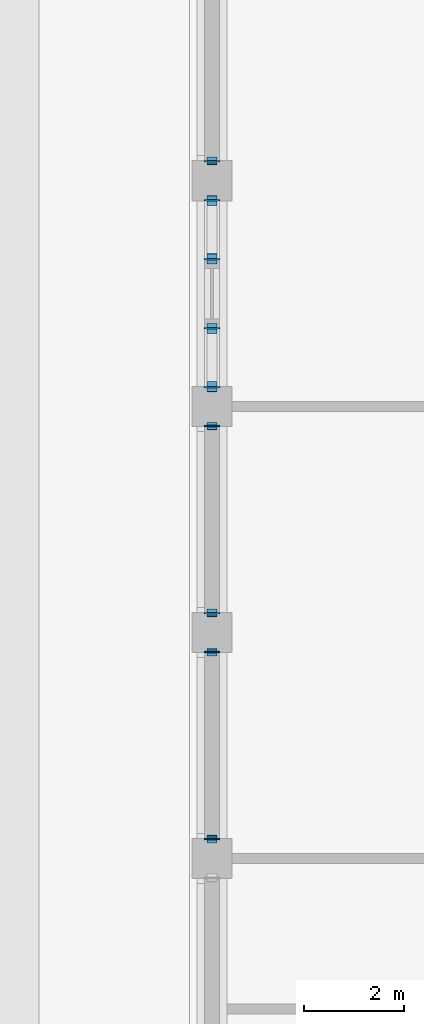
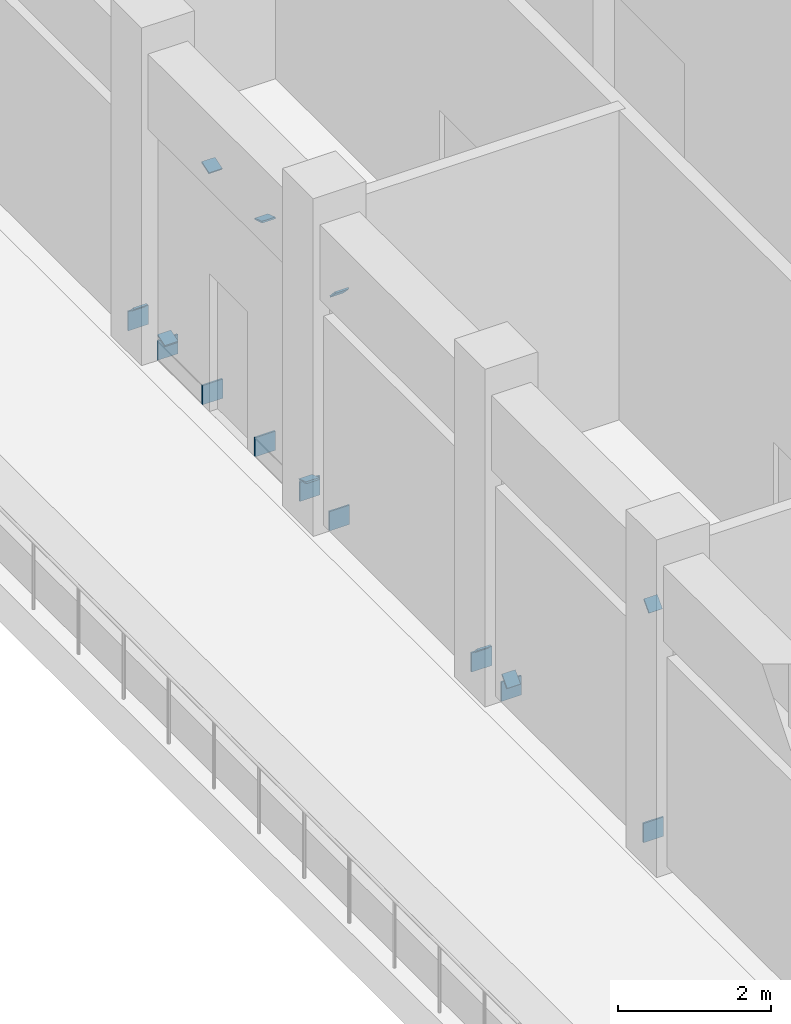
# One storey, part 10 of 19: 18 discrete accessories.
"""IFC4 building model written with IfcOpenShell, lengths in metres."""

from ifc_helpers import new_model, si_unit, direction, frame, origin, origin_2d, place, context, subcontext, project, spatial, rectangle, extrude, material, material_profile, profile_set, type_object, element, save


model = new_model("IFC4")

# Units and contexts
model_context = context("Model", 3, precision=1e-05, world=origin(), true_north=direction((0.0, 1.0)))
body_context = subcontext(model_context, "Body", "Model", "MODEL_VIEW")
ifc_project = project(units=[si_unit("LENGTHUNIT", "METRE"), si_unit("AREAUNIT", "SQUARE_METRE"), si_unit("VOLUMEUNIT", "CUBIC_METRE"), si_unit("PLANEANGLEUNIT", "RADIAN"), si_unit("MASSUNIT", "GRAM", prefix="KILO")], contexts=[model_context])

# Site, building, storey
site_placement = place(None, origin())
site = spatial("IfcSite", under=ifc_project, at=site_placement, CompositionType="ELEMENT")
building_placement = place(site_placement, origin())
building = spatial("IfcBuilding", under=site, at=building_placement, Name="Corbel Stack Research Tower", CompositionType="ELEMENT")
storey_placement = place(building_placement, frame((0.0, 0.0, 226.199951171875)))
storey = spatial("IfcBuildingStorey", under=building, at=storey_placement, Name="L51", CompositionType="ELEMENT", Elevation=226.199951171875)

# Discrete accessories
ifc_material_1 = material(Name="Steel S355", Category="steel")
ifc_material_profile_1 = material_profile(ifc_material_1, rectangle(XDim=0.202880859375, YDim=0.202880859375, at=origin_2d()), Name="End plate 203x203x25")
ifc_profile_set_1 = profile_set([ifc_material_profile_1], Name="Steel S355")
discrete_accessory_type_1 = type_object("IfcDiscreteAccessoryType", Name="End plate 203x203x25", PredefinedType="ANCHORPLATE", material=ifc_profile_set_1)
discrete_accessory_placement = place(storey_placement, frame((-18.0, 4.89990234375, 0.30810546875), z_axis=(0.0, -0.731055268243, -0.68231825036), x_axis=(1.0, 0.0, 0.0)))
element("IfcDiscreteAccessory", 1, at=discrete_accessory_placement, inside=storey, type_object=discrete_accessory_type_1, Name="Belt truss end plate L51-32d1", PredefinedType="ANCHORPLATE", context=body_context, shape_type="SweptSolid", body=[
    extrude(rectangle(XDim=0.202880859375, YDim=0.202880859375, at=origin_2d()), origin(), (0.0, 0.0, 1.0), 0.025146484375),
])
for number, where, z_axis, x_axis, name in (
    (2, (-18.0, 4.10009765625, 0.30810546875), (0.0, 0.313289164578, -0.949657780128), (-1.0, 0.0, 0.0), "Belt truss end plate L51-33ad1"),
    (3, (-18.0, 2.949951171875, 3.75), (0.0, -0.313289164578, 0.949657780128), (1.0, 0.0, 0.0), "Belt truss end plate L51-33ad2"),
    (4, (-18.0, 0.39990234375, 0.30810546875), (0.0, -0.313289164578, -0.949657780128), (1.0, 0.0, 0.0), "Belt truss end plate L51-33bd1"),
    (5, (-18.0, 1.550048828125, 3.75), (0.0, 0.313289164578, 0.949657780128), (-1.0, 0.0, 0.0), "Belt truss end plate L51-33bd2"),
):
    element("IfcDiscreteAccessory", number, at=place(storey_placement, frame(where, z_axis=z_axis, x_axis=x_axis)), inside=storey, type_object=discrete_accessory_type_1, Name=name, PredefinedType="ANCHORPLATE", context=body_context, shape_type="SweptSolid", body=[
        extrude(rectangle(XDim=0.202880859375, YDim=0.202880859375, at=origin_2d()), origin(), (0.0, 0.0, 1.0), 0.02490234375),
    ])
for number, where, z_axis, x_axis, name in (
    (6, (-18.0, -4.10009765625, 0.30810546875), (0.0, -0.731055268243, -0.68231825036), (1.0, 0.0, 0.0), "Belt truss end plate L51-34d1"),
    (7, (-18.0, -0.39990234375, 3.75), (0.0, 0.731055268243, 0.68231825036), (-1.0, 0.0, 0.0), "Belt truss end plate L51-34d2"),
    (8, (-18.0, -4.89990234375, 0.30810546875), (0.0, 0.731055268243, -0.68231825036), (-1.0, 0.0, 0.0), "Belt truss end plate L51-35d1"),
    (9, (-18.0, -8.60009765625, 3.75), (0.0, -0.731055268243, 0.68231825036), (1.0, 0.0, 0.0), "Belt truss end plate L51-35d2"),
):
    element("IfcDiscreteAccessory", number, at=place(storey_placement, frame(where, z_axis=z_axis, x_axis=x_axis)), inside=storey, type_object=discrete_accessory_type_1, Name=name, PredefinedType="ANCHORPLATE", context=body_context, shape_type="SweptSolid", body=[
        extrude(rectangle(XDim=0.202880859375, YDim=0.202880859375, at=origin_2d()), origin(), (0.0, 0.0, 1.0), 0.025146484375),
    ])
ifc_material_2 = material(Name="Steel S355", Category="steel")
ifc_material_profile_2 = material_profile(ifc_material_2, rectangle(XDim=0.304931640625, YDim=0.30810546875, at=origin_2d()), Name="End plate 305x308x25")
ifc_profile_set_2 = profile_set([ifc_material_profile_2], Name="Steel S355")
discrete_accessory_type_2 = type_object("IfcDiscreteAccessoryType", Name="End plate 305x308x25", PredefinedType="ANCHORPLATE", material=ifc_profile_set_2)
for number, where, z_axis, x_axis, name in (
    (10, (-18.0, 4.89990234375, 0.154052734375), (0.0, -1.0, 0.0), (1.0, 0.0, 0.0), "Belt truss end plate L51-32c2"),
    (11, (-18.0, 4.10009765625, 0.154052734375), (0.0, 1.0, 0.0), (-1.0, 0.0, 0.0), "Belt truss end plate L51-33ac1"),
    (12, (-18.0, 2.949951171875, 0.154052734375), (0.0, -1.0, 0.0), (1.0, 0.0, 0.0), "Belt truss end plate L51-33ac2"),
    (13, (-18.0, 1.550048828125, 0.154052734375), (0.0, 1.0, 0.0), (-1.0, 0.0, 0.0), "Belt truss end plate L51-33bc1"),
    (14, (-18.0, 0.39990234375, 0.154052734375), (0.0, -1.0, 0.0), (1.0, 0.0, 0.0), "Belt truss end plate L51-33bc2"),
    (15, (-18.0, -0.39990234375, 0.154052734375), (0.0, 1.0, 0.0), (-1.0, 0.0, 0.0), "Belt truss end plate L51-34c1"),
    (16, (-18.0, -4.10009765625, 0.154052734375), (0.0, -1.0, 0.0), (1.0, 0.0, 0.0), "Belt truss end plate L51-34c2"),
    (17, (-18.0, -4.89990234375, 0.154052734375), (0.0, 1.0, 0.0), (-1.0, 0.0, 0.0), "Belt truss end plate L51-35c1"),
    (18, (-18.0, -8.60009765625, 0.154052734375), (0.0, -1.0, 0.0), (1.0, 0.0, 0.0), "Belt truss end plate L51-35c2"),
):
    element("IfcDiscreteAccessory", number, at=place(storey_placement, frame(where, z_axis=z_axis, x_axis=x_axis)), inside=storey, type_object=discrete_accessory_type_2, Name=name, PredefinedType="ANCHORPLATE", context=body_context, shape_type="SweptSolid", body=[
        extrude(rectangle(XDim=0.304931640625, YDim=0.30810546875, at=origin_2d()), origin(), (0.0, 0.0, 1.0), 0.02490234375),
    ])

save(model, "model.ifc")
